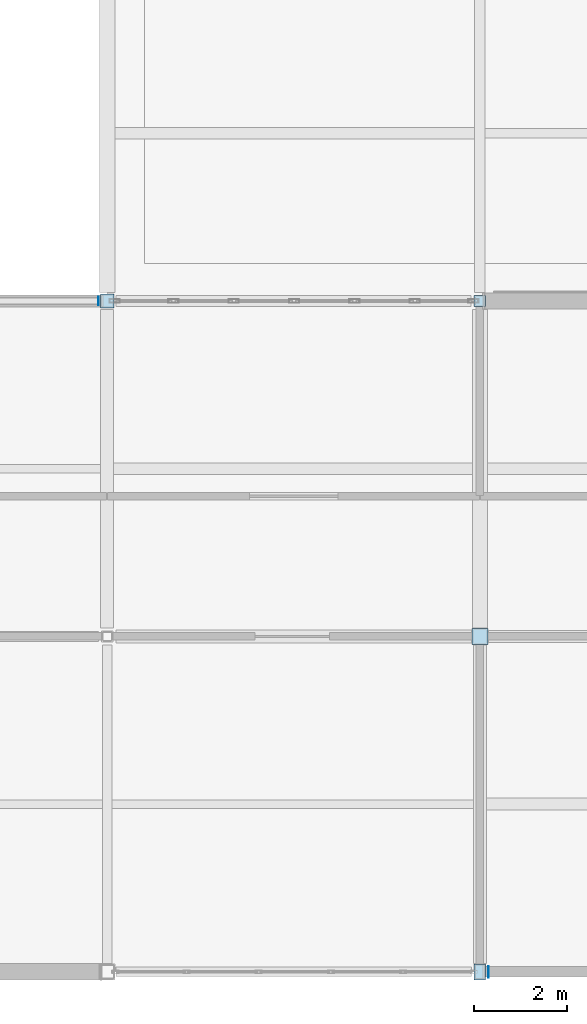
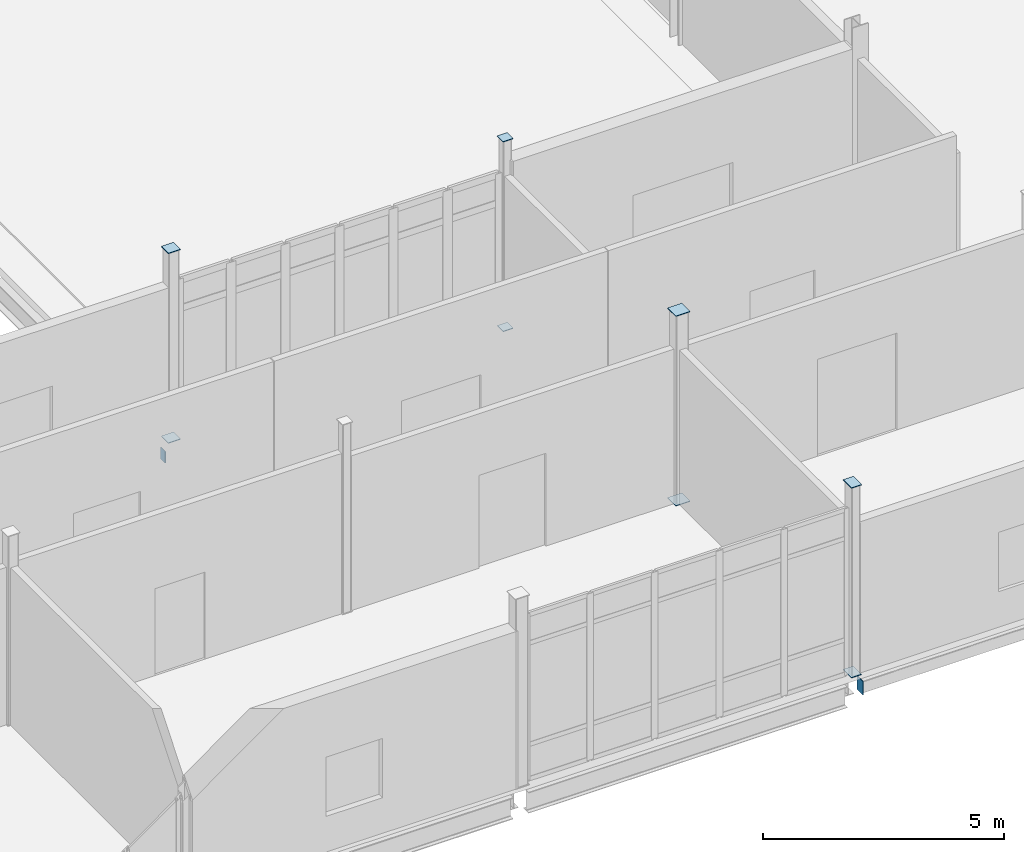
# One storey, part 141 of 186: 10 plates.
"""IFC4 building model written with IfcOpenShell, lengths in metres."""

from ifc_helpers import new_model, si_unit, direction, frame, origin, origin_2d, place, context, subcontext, project, spatial, rectangle, extrude, material, layer, layer_set, type_object, element, save


model = new_model("IFC4")

# Units and contexts
model_context = context("Model", 3, precision=1e-05, world=origin(), true_north=direction((0.0, 1.0)))
body_context = subcontext(model_context, "Body", "Model", "MODEL_VIEW")
ifc_project = project(units=[si_unit("LENGTHUNIT", "METRE"), si_unit("AREAUNIT", "SQUARE_METRE"), si_unit("VOLUMEUNIT", "CUBIC_METRE"), si_unit("PLANEANGLEUNIT", "RADIAN"), si_unit("MASSUNIT", "GRAM", prefix="KILO")], contexts=[model_context])

# Site, building, storey
site_placement = place(None, origin())
site = spatial("IfcSite", under=ifc_project, at=site_placement, CompositionType="ELEMENT")
building_placement = place(site_placement, origin())
building = spatial("IfcBuilding", under=site, at=building_placement, Name="Calvrana Isthmian Art Gallery", CompositionType="ELEMENT")
storey_placement = place(building_placement, frame((0.0, 0.0, 5.39990234375)))
storey = spatial("IfcBuildingStorey", under=building, at=storey_placement, Name="L01", CompositionType="ELEMENT", Elevation=5.39990234375)

# Plates
ifc_material = material(Name="Steel ASTM A572 Gr 50", Category="steel")
ifc_layer = layer(ifc_material, 0.01611328125, Name="Steel ASTM A572 Gr 50")
ifc_layer_set = layer_set([ifc_layer], Name="Steel ASTM A572 Gr 50")
plate_type = type_object("IfcPlateType", Name="PL-CAP-16", PredefinedType="SHEET", material=ifc_layer_set)
for number, where, z_axis, x_axis, name in (
    (1, (96.39990234375, 14.39990234375, -0.008056640625), (0.0, 0.0, 1.0), (1.0, 0.0, 0.0), "Hollow section end cap plate 215"),
    (2, (96.39990234375, 14.39990234375, 4.7919921875), (0.0, 0.0, 1.0), (1.0, 0.0, 0.0), "Hollow section end cap plate 216"),
):
    element("IfcPlate", number, at=place(storey_placement, frame(where, z_axis=z_axis, x_axis=x_axis)), inside=storey, type_object=plate_type, Name=name, PredefinedType="SHEET", context=body_context, shape_type="SweptSolid", body=[
        extrude(rectangle(XDim=0.2939453125, YDim=0.2939453125, at=origin_2d()), origin(), (0.0, 0.0, 1.0), 0.01611328125),
    ])
for number, where, z_axis, x_axis, name in (
    (3, (104.39990234375, 0.0, -0.008056640625), (0.0, 0.0, 1.0), (1.0, 0.0, 0.0), "Hollow section end cap plate 229"),
    (4, (104.39990234375, 0.0, 4.7919921875), (0.0, 0.0, 1.0), (1.0, 0.0, 0.0), "Hollow section end cap plate 230"),
):
    element("IfcPlate", number, at=place(storey_placement, frame(where, z_axis=z_axis, x_axis=x_axis)), inside=storey, type_object=plate_type, Name=name, PredefinedType="SHEET", context=body_context, shape_type="SweptSolid", body=[
        extrude(rectangle(XDim=0.2431640625, YDim=0.3447265625, at=origin_2d()), origin(), (0.0, 0.0, 1.0), 0.01611328125),
    ])
for number, where, z_axis, x_axis, name in (
    (5, (104.39990234375, 7.199951171875, -0.008056640625), (0.0, 0.0, 1.0), (1.0, 0.0, 0.0), "Hollow section end cap plate 231"),
    (6, (104.39990234375, 7.199951171875, 4.7919921875), (0.0, 0.0, 1.0), (1.0, 0.0, 0.0), "Hollow section end cap plate 232"),
):
    element("IfcPlate", number, at=place(storey_placement, frame(where, z_axis=z_axis, x_axis=x_axis)), inside=storey, type_object=plate_type, Name=name, PredefinedType="SHEET", context=body_context, shape_type="SweptSolid", body=[
        extrude(rectangle(XDim=0.3447265625, YDim=0.3447265625, at=origin_2d()), origin(), (0.0, 0.0, 1.0), 0.01611328125),
    ])
for number, where, z_axis, x_axis, name in (
    (7, (104.39990234375, 14.39990234375, -0.008056640625), (0.0, 0.0, 1.0), (1.0, 0.0, 0.0), "Hollow section end cap plate 233"),
    (8, (104.39990234375, 14.39990234375, 4.7919921875), (0.0, 0.0, 1.0), (1.0, 0.0, 0.0), "Hollow section end cap plate 234"),
):
    element("IfcPlate", number, at=place(storey_placement, frame(where, z_axis=z_axis, x_axis=x_axis)), inside=storey, type_object=plate_type, Name=name, PredefinedType="SHEET", context=body_context, shape_type="SweptSolid", body=[
        extrude(rectangle(XDim=0.2431640625, YDim=0.2431640625, at=origin_2d()), origin(), (0.0, 0.0, 1.0), 0.01611328125),
    ])
plate_1_placement = place(storey_placement, frame((104.583984375, 0.0, -0.569580078125), z_axis=(0.0, 0.0, 1.0), x_axis=(1.0, 0.0, 0.0)))
element("IfcPlate", 9, at=plate_1_placement, inside=storey, type_object=plate_type, Name="Hollow section end cap plate 409", PredefinedType="SHEET", context=body_context, shape_type="SweptSolid", body=[
    extrude(rectangle(XDim=0.01611328125, YDim=0.2431640625, at=origin_2d()), origin(), (0.0, 0.0, 1.0), 0.3447265625),
])
plate_2_placement = place(storey_placement, frame((96.21337890625, 14.39990234375, -0.518798828125), z_axis=(0.0, 0.0, 1.0), x_axis=(1.0, 0.0, 0.0)))
element("IfcPlate", 10, at=plate_2_placement, inside=storey, type_object=plate_type, Name="Hollow section end cap plate 416", PredefinedType="SHEET", context=body_context, shape_type="SweptSolid", body=[
    extrude(rectangle(XDim=0.01611328125, YDim=0.1923828125, at=origin_2d()), origin(), (0.0, 0.0, 1.0), 0.2939453125),
])

save(model, "model.ifc")
